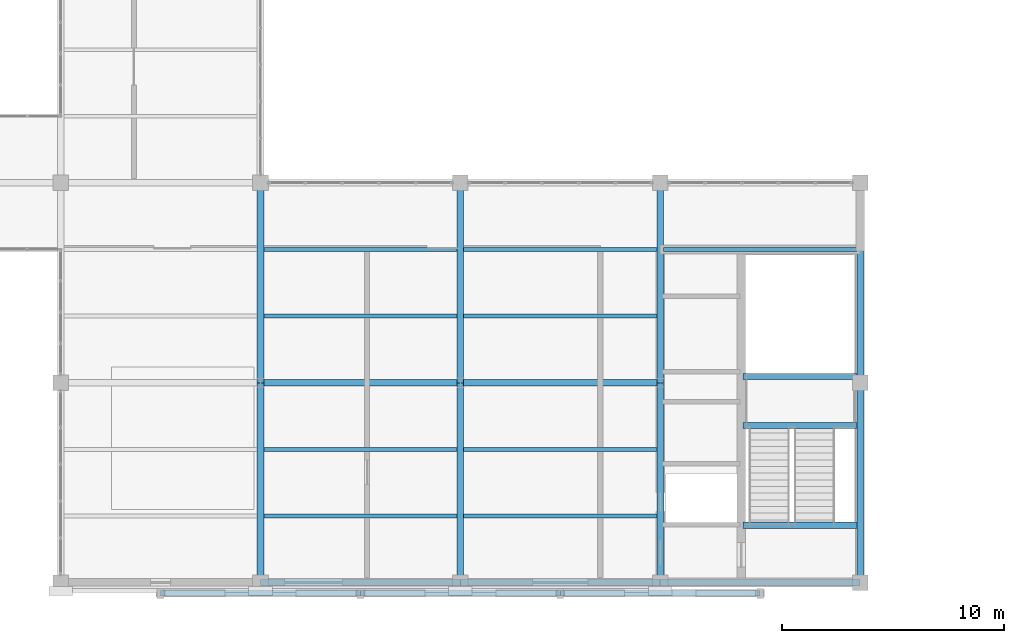
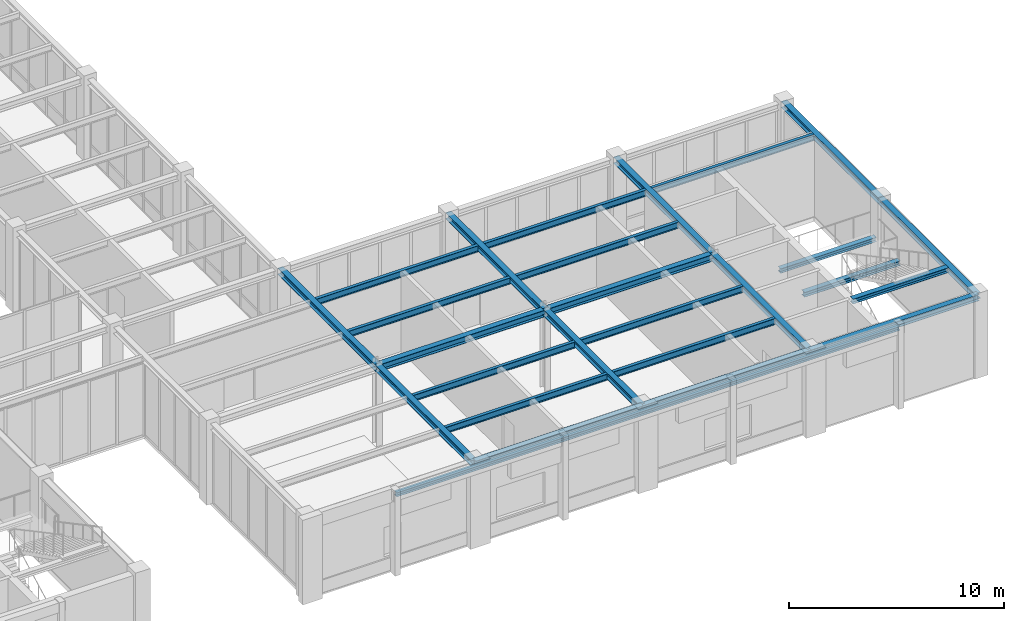
# One storey, part 39 of 92: 28 beams.
"""IFC4 building model written with IfcOpenShell, lengths in metres."""

from ifc_helpers import new_model, si_unit, direction, frame, origin, origin_2d, place, context, subcontext, project, spatial, i_section, extrude, material, material_profile, profile_set, type_object, element, save


model = new_model("IFC4")

# Units and contexts
model_context = context("Model", 3, precision=1e-05, world=origin(), true_north=direction((0.0, 1.0)))
body_context = subcontext(model_context, "Body", "Model", "MODEL_VIEW")
ifc_project = project(units=[si_unit("LENGTHUNIT", "METRE"), si_unit("AREAUNIT", "SQUARE_METRE"), si_unit("VOLUMEUNIT", "CUBIC_METRE"), si_unit("PLANEANGLEUNIT", "RADIAN"), si_unit("MASSUNIT", "GRAM", prefix="KILO")], contexts=[model_context])

# Site, building, storey
site_placement = place(None, origin())
site = spatial("IfcSite", under=ifc_project, at=site_placement, CompositionType="ELEMENT")
building_placement = place(site_placement, origin())
building = spatial("IfcBuilding", under=site, at=building_placement, Name="Lykobir Media Centre", CompositionType="ELEMENT")
storey_placement = place(building_placement, frame((0.0, 0.0, 5.39990234375)))
storey = spatial("IfcBuildingStorey", under=building, at=storey_placement, Name="L01", CompositionType="ELEMENT", Elevation=5.39990234375)

# Beams
ifc_material = material(Name="Steel S355", Category="steel")
ifc_material_profile_1 = material_profile(ifc_material, i_section(OverallWidth=0.300048828125, OverallDepth=0.35009765625, WebThickness=0.010009765625, FlangeThickness=0.017578125, at=origin_2d()), Name="HEA 360")
ifc_profile_set_1 = profile_set([ifc_material_profile_1], Name="Steel S355")
beam_type_1 = type_object("IfcBeamType", Name="BM-HEA360", PredefinedType="BEAM", material=ifc_profile_set_1)
for number, where, z_axis, x_axis, name in (
    (1, (99.0, 0.0, 4.385009765625), (0.0, 1.0, 0.0), (-1.0, 0.0, 0.0), "Beam BM-L01-0990-0000-0990-0090-978"),
    (2, (99.0, 9.0, 4.385009765625), (0.0, 1.0, 0.0), (-1.0, 0.0, 0.0), "Beam BM-L01-0990-0090-0990-0180-978"),
    (3, (108.0, 0.0, 4.385009765625), (0.0, 1.0, 0.0), (-1.0, 0.0, 0.0), "Beam BM-L01-1080-0000-1080-0090-978"),
    (4, (108.0, 9.0, 4.385009765625), (0.0, 1.0, 0.0), (-1.0, 0.0, 0.0), "Beam BM-L01-1080-0090-1080-0180-978"),
    (5, (117.0, 0.0, 4.385009765625), (0.0, 1.0, 0.0), (-1.0, 0.0, 0.0), "Beam BM-L01-1170-0000-1170-0090-978"),
    (6, (117.0, 9.0, 4.385009765625), (0.0, 1.0, 0.0), (-1.0, 0.0, 0.0), "Beam BM-L01-1170-0090-1170-0180-978"),
    (7, (126.0, 0.0, 4.385009765625), (0.0, 1.0, 0.0), (-1.0, 0.0, 0.0), "Beam BM-L01-1260-0000-1260-0090-978"),
    (8, (126.0, 9.0, 4.385009765625), (0.0, 1.0, 0.0), (-1.0, 0.0, 0.0), "Beam BM-L01-1260-0090-1260-0180-978"),
):
    element("IfcBeam", number, at=place(storey_placement, frame(where, z_axis=z_axis, x_axis=x_axis)), inside=storey, type_object=beam_type_1, Name=name, PredefinedType="BEAM", context=body_context, shape_type="SweptSolid", body=[
        extrude(i_section(OverallWidth=0.300048828125, OverallDepth=0.35009765625, WebThickness=0.010009765625, FlangeThickness=0.017578125, at=origin_2d()), origin(), (0.0, 0.0, 1.0), 9.0),
    ])
ifc_material_profile_2 = material_profile(ifc_material, i_section(OverallWidth=0.300048828125, OverallDepth=0.389892578125, WebThickness=0.010986328125, FlangeThickness=0.01904296875, at=origin_2d()), Name="HEA 400")
ifc_profile_set_2 = profile_set([ifc_material_profile_2], Name="Steel S355")
beam_type_2 = type_object("IfcBeamType", Name="BM-HEA400", PredefinedType="BEAM", material=ifc_profile_set_2)
for number, where, z_axis, x_axis, name in (
    (9, (99.0, 9.0, 4.364990234375), (1.0, 0.0, 0.0), (0.0, 1.0, 0.0), "Beam BM-L01-0990-0090-1080-0090-976"),
    (10, (108.0, 9.0, 4.364990234375), (1.0, 0.0, 0.0), (0.0, 1.0, 0.0), "Beam BM-L01-1080-0090-1170-0090-976"),
):
    element("IfcBeam", number, at=place(storey_placement, frame(where, z_axis=z_axis, x_axis=x_axis)), inside=storey, type_object=beam_type_2, Name=name, PredefinedType="BEAM", context=body_context, shape_type="SweptSolid", body=[
        extrude(i_section(OverallWidth=0.300048828125, OverallDepth=0.389892578125, WebThickness=0.010986328125, FlangeThickness=0.01904296875, at=origin_2d()), origin(), (0.0, 0.0, 1.0), 9.0),
    ])
ifc_material_profile_3 = material_profile(ifc_material, i_section(OverallWidth=0.260009765625, OverallDepth=0.25, WebThickness=0.007568359375, FlangeThickness=0.012451171875, at=origin_2d()), Name="HEA 260")
ifc_profile_set_3 = profile_set([ifc_material_profile_3], Name="Steel S355")
beam_type_3 = type_object("IfcBeamType", Name="BM-ST260", PredefinedType="BEAM", material=ifc_profile_set_3)
beam_placement = place(storey_placement, frame((120.72998046875, 9.280029296875, 2.090087890625), z_axis=(1.0, 0.0, 0.0), x_axis=(0.0, 1.0, 0.0)))
element("IfcBeam", 11, at=beam_placement, inside=storey, type_object=beam_type_3, Name="ST-5 L01 half-landing support beam", PredefinedType="BEAM", context=body_context, shape_type="SweptSolid", body=[
    extrude(i_section(OverallWidth=0.260009765625, OverallDepth=0.25, WebThickness=0.007568359375, FlangeThickness=0.012451171875, at=origin_2d()), origin(), (0.0, 0.0, 1.0), 5.14013671875),
])
ifc_material_profile_4 = material_profile(ifc_material, i_section(OverallWidth=0.280029296875, OverallDepth=0.27001953125, WebThickness=0.008056640625, FlangeThickness=0.012939453125, at=origin_2d()), Name="HEA 280")
ifc_profile_set_4 = profile_set([ifc_material_profile_4], Name="Steel S355")
beam_type_4 = type_object("IfcBeamType", Name="BM-ST280", PredefinedType="BEAM", material=ifc_profile_set_4)
for number, where, z_axis, x_axis, name in (
    (12, (120.72998046875, 2.580078125, 4.425048828125), (1.0, 0.0, 0.0), (0.0, 1.0, 0.0), "ST-5 L01 arrival trimmer beam"),
    (13, (120.72998046875, 7.080078125, 2.080078125), (1.0, 0.0, 0.0), (0.0, 1.0, 0.0), "ST-5 L01 mid-landing trimmer beam"),
):
    element("IfcBeam", number, at=place(storey_placement, frame(where, z_axis=z_axis, x_axis=x_axis)), inside=storey, type_object=beam_type_4, Name=name, PredefinedType="BEAM", context=body_context, shape_type="SweptSolid", body=[
        extrude(i_section(OverallWidth=0.280029296875, OverallDepth=0.27001953125, WebThickness=0.008056640625, FlangeThickness=0.012939453125, at=origin_2d()), origin(), (0.0, 0.0, 1.0), 5.14013671875),
    ])
ifc_material_profile_5 = material_profile(ifc_material, i_section(OverallWidth=0.169921875, OverallDepth=0.360107421875, WebThickness=0.008056640625, FlangeThickness=0.0126953125, at=origin_2d()), Name="IPE 360")
ifc_profile_set_5 = profile_set([ifc_material_profile_5], Name="Steel S355")
beam_type_5 = type_object("IfcBeamType", Name="JS-IPE360", PredefinedType="JOIST", material=ifc_profile_set_5)
for number, where, z_axis, x_axis, name in (
    (14, (99.14990234375, 3.0, 4.380126953125), (1.0, 0.0, 0.0), (0.0, 1.0, 0.0), "Beam BM-L01-0992-0030-1078-0030-978"),
    (15, (99.14990234375, 6.0, 4.380126953125), (1.0, 0.0, 0.0), (0.0, 1.0, 0.0), "Beam BM-L01-0992-0060-1078-0060-978"),
    (16, (99.14990234375, 12.0, 4.380126953125), (1.0, 0.0, 0.0), (0.0, 1.0, 0.0), "Beam BM-L01-0992-0120-1078-0120-978"),
    (17, (99.14990234375, 15.0, 4.380126953125), (1.0, 0.0, 0.0), (0.0, 1.0, 0.0), "Beam BM-L01-0992-0150-1078-0150-978"),
    (18, (108.14990234375, 3.0, 4.380126953125), (1.0, 0.0, 0.0), (0.0, 1.0, 0.0), "Beam BM-L01-1082-0030-1168-0030-978"),
    (19, (108.14990234375, 6.0, 4.380126953125), (1.0, 0.0, 0.0), (0.0, 1.0, 0.0), "Beam BM-L01-1082-0060-1168-0060-978"),
    (20, (108.14990234375, 12.0, 4.380126953125), (1.0, 0.0, 0.0), (0.0, 1.0, 0.0), "Beam BM-L01-1082-0120-1168-0120-978"),
    (21, (108.14990234375, 15.0, 4.380126953125), (1.0, 0.0, 0.0), (0.0, 1.0, 0.0), "Beam BM-L01-1082-0150-1168-0150-978"),
    (22, (117.14990234375, 15.0, 4.380126953125), (1.0, 0.0, 0.0), (0.0, 1.0, 0.0), "Beam BM-L01-1172-0150-1258-0150-978"),
):
    element("IfcBeam", number, at=place(storey_placement, frame(where, z_axis=z_axis, x_axis=x_axis)), inside=storey, type_object=beam_type_5, Name=name, PredefinedType="JOIST", context=body_context, shape_type="SweptSolid", body=[
        extrude(i_section(OverallWidth=0.169921875, OverallDepth=0.360107421875, WebThickness=0.008056640625, FlangeThickness=0.0126953125, at=origin_2d()), origin(), (0.0, 0.0, 1.0), 8.7001953125),
    ])
ifc_material_profile_6 = material_profile(ifc_material, i_section(OverallWidth=0.239990234375, OverallDepth=0.22998046875, WebThickness=0.007568359375, FlangeThickness=0.011962890625, at=origin_2d()), Name="HEA 240")
ifc_profile_set_6 = profile_set([ifc_material_profile_6], Name="Steel S355")
beam_type_6 = type_object("IfcBeamType", Name="SP-HEA240-E", PredefinedType="SPANDREL", material=ifc_profile_set_6)
for number, where, z_axis, x_axis, name in (
    (23, (94.5, -0.47998046875, 4.4951171875), (1.0, 0.0, 0.0), (0.0, 1.0, 0.0), "Beam BM-L01-0945--005-1035--005-990"),
    (24, (103.5, -0.47998046875, 4.4951171875), (1.0, 0.0, 0.0), (0.0, 1.0, 0.0), "Beam BM-L01-1035--005-1125--005-990"),
    (25, (112.5, -0.47998046875, 4.4951171875), (1.0, 0.0, 0.0), (0.0, 1.0, 0.0), "Beam BM-L01-1125--005-1215--005-990"),
):
    element("IfcBeam", number, at=place(storey_placement, frame(where, z_axis=z_axis, x_axis=x_axis)), inside=storey, type_object=beam_type_6, Name=name, PredefinedType="SPANDREL", context=body_context, shape_type="SweptSolid", body=[
        extrude(i_section(OverallWidth=0.239990234375, OverallDepth=0.22998046875, WebThickness=0.007568359375, FlangeThickness=0.011962890625, at=origin_2d()), origin(), (0.0, 0.0, 1.0), 9.0),
    ])
ifc_material_profile_7 = material_profile(ifc_material, i_section(OverallWidth=0.300048828125, OverallDepth=0.35009765625, WebThickness=0.010009765625, FlangeThickness=0.017578125, at=origin_2d()), Name="HEA 360")
ifc_profile_set_7 = profile_set([ifc_material_profile_7], Name="Steel S355")
beam_type_7 = type_object("IfcBeamType", Name="SP-HEA360-E", PredefinedType="SPANDREL", material=ifc_profile_set_7)
for number, where, z_axis, x_axis, name in (
    (26, (99.0, 0.0, 4.385009765625), (1.0, 0.0, 0.0), (0.0, 1.0, 0.0), "Beam BM-L01-0990-0000-1080-0000-978"),
    (27, (108.0, 0.0, 4.385009765625), (1.0, 0.0, 0.0), (0.0, 1.0, 0.0), "Beam BM-L01-1080-0000-1170-0000-978"),
    (28, (117.0, 0.0, 4.385009765625), (1.0, 0.0, 0.0), (0.0, 1.0, 0.0), "Beam BM-L01-1170-0000-1260-0000-978"),
):
    element("IfcBeam", number, at=place(storey_placement, frame(where, z_axis=z_axis, x_axis=x_axis)), inside=storey, type_object=beam_type_7, Name=name, PredefinedType="SPANDREL", context=body_context, shape_type="SweptSolid", body=[
        extrude(i_section(OverallWidth=0.300048828125, OverallDepth=0.35009765625, WebThickness=0.010009765625, FlangeThickness=0.017578125, at=origin_2d()), origin(), (0.0, 0.0, 1.0), 9.0),
    ])

save(model, "model.ifc")
